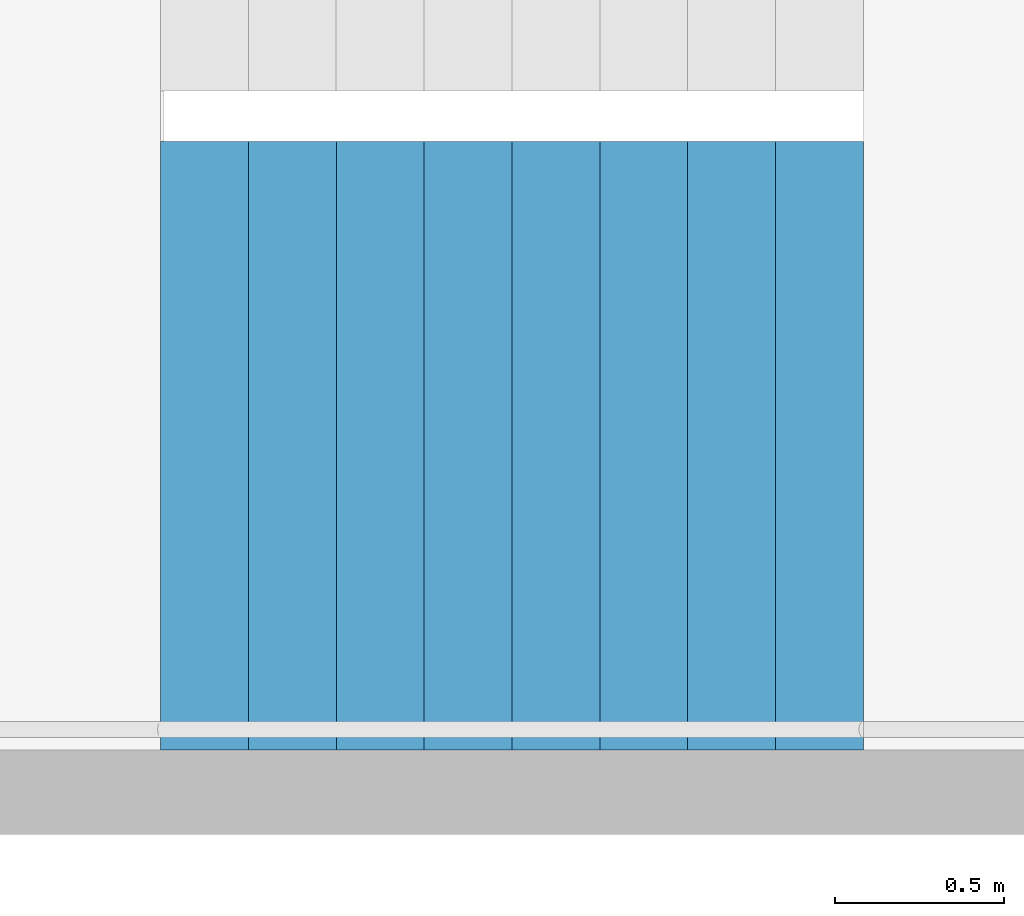
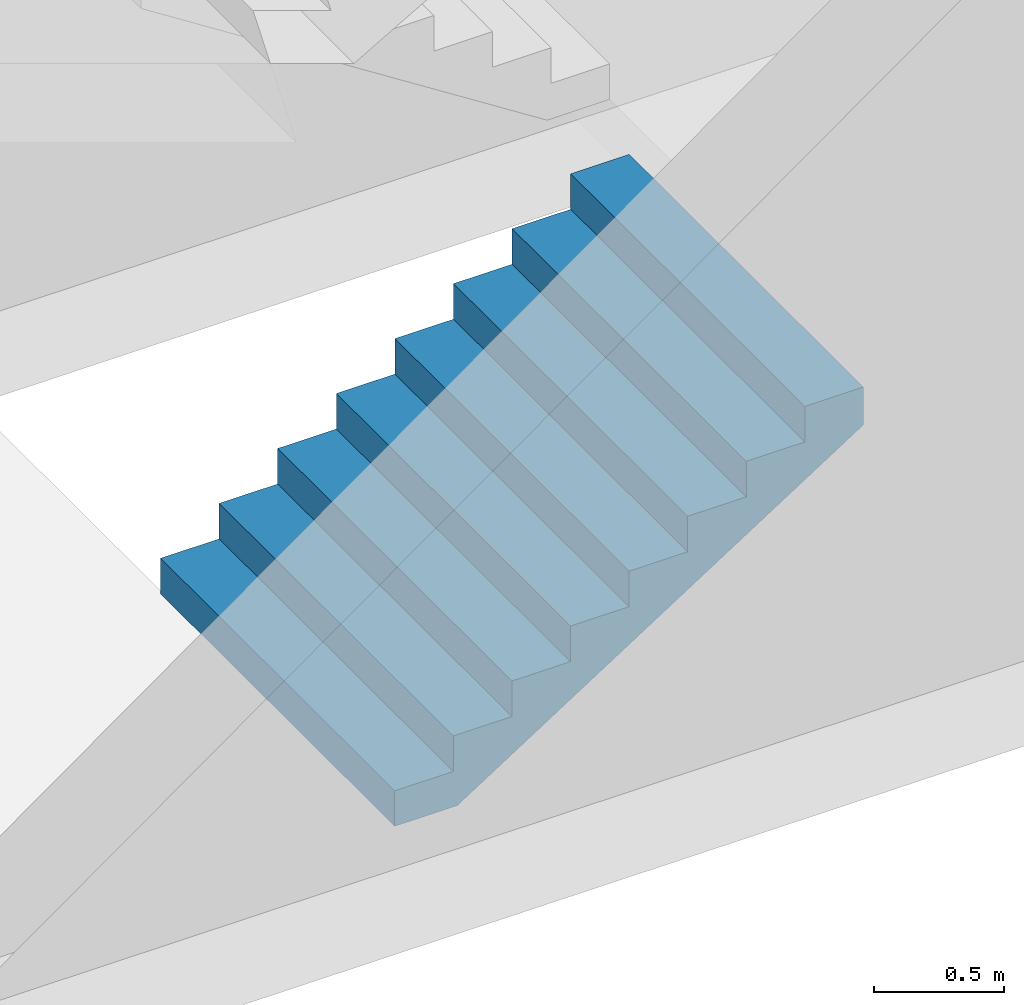
# One storey, part 54 of 100: 1 stair flight, 1 element without a shape of its own.
"""IFC4 building model written with IfcOpenShell, lengths in metres."""

from ifc_helpers import new_model, si_unit, direction, frame, origin, place, context, subcontext, project, spatial, triangles, material, type_object, element, aggregate, save


model = new_model("IFC4")

# Units and contexts
model_context = context("Model", 3, precision=1e-05, world=origin(), true_north=direction((0.0, 1.0)))
body_context = subcontext(model_context, "Body", "Model", "MODEL_VIEW")
ifc_project = project(units=[si_unit("LENGTHUNIT", "METRE"), si_unit("AREAUNIT", "SQUARE_METRE"), si_unit("VOLUMEUNIT", "CUBIC_METRE"), si_unit("PLANEANGLEUNIT", "RADIAN"), si_unit("MASSUNIT", "GRAM", prefix="KILO")], contexts=[model_context])

# Site, building, storey
site_placement = place(None, origin())
site = spatial("IfcSite", under=ifc_project, at=site_placement, CompositionType="ELEMENT")
building_placement = place(site_placement, origin())
building = spatial("IfcBuilding", under=site, at=building_placement, Name="Hakoniwa Tower and Hamabe Station Hall", CompositionType="ELEMENT")
storey_placement = place(building_placement, frame((0.0, 0.0, 9.0)))
storey = spatial("IfcBuildingStorey", under=building, at=storey_placement, Name="L02", CompositionType="ELEMENT", Elevation=9.0)

# Stair, stair flight
ifc_material_1 = material(Name="Concrete C40", Category="concrete")
stair_type = type_object("IfcStairType", Name="ESCAPE STAIR 1800", PredefinedType="HALF_TURN_STAIR", material=ifc_material_1)
stair_placement = place(storey_placement, origin())
stair = element("IfcStair", 1, at=stair_placement, inside=storey, type_object=stair_type, Name="Escape stair ST-1 L02", PredefinedType="HALF_TURN_STAIR")
ifc_material_2 = material(Name="Concrete C40", Category="concrete")
stair_flight_type = type_object("IfcStairFlightType", Name="STAIR FLIGHT 1800", PredefinedType="STRAIGHT", material=ifc_material_2)
stair_flight_placement = place(storey_placement, frame((-24.39990234375, 4.64990234375, 0.0), z_axis=(0.0, 0.0, 1.0), x_axis=(1.0, 0.0, 0.0)))
stair_flight = element("IfcStairFlight", 2, at=stair_flight_placement, type_object=stair_flight_type, Name="ST-1 flight 1", NumberOfRisers=9, NumberOfTreads=8, PredefinedType="STRAIGHT", RiserHeight=0.166666667, TreadLength=0.26, context=body_context, shape_type="Tessellation", body=[
    triangles([(0.0, 0.89990234375, 0.0), (0.260009765625, 0.89990234375, 0.0), (0.27783203125, 0.89990234375, 0.0), (0.52001953125, 0.89990234375, 0.1552734375), (0.780029296875, 0.89990234375, 0.322021484375), (1.0400390625, 0.89990234375, 0.488525390625), (1.300048828125, 0.89990234375, 0.6552734375), (1.56005859375, 0.89990234375, 0.822021484375), (1.820068359375, 0.89990234375, 0.988525390625), (2.080078125, 0.89990234375, 1.1552734375), (2.080078125, 0.89990234375, 1.333251953125), (1.820068359375, 0.89990234375, 1.333251953125), (1.820068359375, 0.89990234375, 1.166748046875), (1.56005859375, 0.89990234375, 1.166748046875), (1.56005859375, 0.89990234375, 1.0), (1.300048828125, 0.89990234375, 1.0), (1.300048828125, 0.89990234375, 0.833251953125), (1.0400390625, 0.89990234375, 0.833251953125), (1.0400390625, 0.89990234375, 0.666748046875), (0.780029296875, 0.89990234375, 0.666748046875), (0.780029296875, 0.89990234375, 0.5), (0.52001953125, 0.89990234375, 0.5), (0.52001953125, 0.89990234375, 0.333251953125), (0.27783203125, 0.89990234375, 0.333251953125), (0.260009765625, 0.89990234375, 0.333251953125), (0.260009765625, 0.89990234375, 0.166748046875), (0.0, 0.89990234375, 0.166748046875), (0.0, 0.06005859375, 0.0), (0.260009765625, 0.06005859375, 0.0), (0.27783203125, 0.06005859375, 0.0), (0.52001953125, 0.06005859375, 0.1552734375), (0.780029296875, 0.06005859375, 0.322021484375), (1.0400390625, 0.06005859375, 0.488525390625), (1.300048828125, 0.06005859375, 0.6552734375), (1.56005859375, 0.06005859375, 0.822021484375), (1.820068359375, 0.06005859375, 0.988525390625), (2.080078125, 0.06005859375, 1.1552734375), (2.080078125, 0.06005859375, 1.333251953125), (1.820068359375, 0.06005859375, 1.333251953125), (1.820068359375, 0.06005859375, 1.166748046875), (1.56005859375, 0.06005859375, 1.166748046875), (1.56005859375, 0.06005859375, 1.0), (1.300048828125, 0.06005859375, 1.0), (1.300048828125, 0.06005859375, 0.833251953125), (1.0400390625, 0.06005859375, 0.833251953125), (1.0400390625, 0.06005859375, 0.666748046875), (0.780029296875, 0.06005859375, 0.666748046875), (0.780029296875, 0.06005859375, 0.5), (0.52001953125, 0.06005859375, 0.5), (0.52001953125, 0.06005859375, 0.333251953125), (0.27783203125, 0.06005859375, 0.333251953125), (0.260009765625, 0.06005859375, 0.333251953125), (0.260009765625, 0.06005859375, 0.166748046875), (0.0, 0.06005859375, 0.166748046875), (0.0, 0.04296875, 0.0), (0.260009765625, 0.04296875, 0.0), (0.27783203125, 0.04296875, 0.0), (0.52001953125, 0.04296875, 0.1552734375), (0.780029296875, 0.04296875, 0.322021484375), (1.0400390625, 0.04296875, 0.488525390625), (1.300048828125, 0.04296875, 0.6552734375), (1.56005859375, 0.04296875, 0.822021484375), (1.820068359375, 0.04296875, 0.988525390625), (2.080078125, 0.04296875, 1.1552734375), (2.080078125, 0.04296875, 1.333251953125), (1.820068359375, 0.04296875, 1.333251953125), (1.820068359375, 0.04296875, 1.166748046875), (1.56005859375, 0.04296875, 1.166748046875), (1.56005859375, 0.04296875, 1.0), (1.300048828125, 0.04296875, 1.0), (1.300048828125, 0.04296875, 0.833251953125), (1.0400390625, 0.04296875, 0.833251953125), (1.0400390625, 0.04296875, 0.666748046875), (0.780029296875, 0.04296875, 0.666748046875), (0.780029296875, 0.04296875, 0.5), (0.52001953125, 0.04296875, 0.5), (0.52001953125, 0.04296875, 0.333251953125), (0.27783203125, 0.04296875, 0.333251953125), (0.260009765625, 0.04296875, 0.333251953125), (0.260009765625, 0.04296875, 0.166748046875), (0.0, 0.04296875, 0.166748046875), (0.0, 0.025634765625, 0.0), (0.260009765625, 0.025634765625, 0.0), (0.27783203125, 0.025634765625, 0.0), (0.52001953125, 0.025634765625, 0.1552734375), (0.780029296875, 0.025634765625, 0.322021484375), (1.0400390625, 0.025634765625, 0.488525390625), (1.300048828125, 0.025634765625, 0.6552734375), (1.56005859375, 0.025634765625, 0.822021484375), (1.820068359375, 0.025634765625, 0.988525390625), (2.080078125, 0.025634765625, 1.1552734375), (2.080078125, 0.025634765625, 1.333251953125), (1.820068359375, 0.025634765625, 1.333251953125), (1.820068359375, 0.025634765625, 1.166748046875), (1.56005859375, 0.025634765625, 1.166748046875), (1.56005859375, 0.025634765625, 1.0), (1.300048828125, 0.025634765625, 1.0), (1.300048828125, 0.025634765625, 0.833251953125), (1.0400390625, 0.025634765625, 0.833251953125), (1.0400390625, 0.025634765625, 0.666748046875), (0.780029296875, 0.025634765625, 0.666748046875), (0.780029296875, 0.025634765625, 0.5), (0.52001953125, 0.025634765625, 0.5), (0.52001953125, 0.025634765625, 0.333251953125), (0.27783203125, 0.025634765625, 0.333251953125), (0.260009765625, 0.025634765625, 0.333251953125), (0.260009765625, 0.025634765625, 0.166748046875), (0.0, 0.025634765625, 0.166748046875), (0.0, 0.008544921875, 0.0), (0.260009765625, 0.008544921875, 0.0), (0.27783203125, 0.008544921875, 0.0), (0.52001953125, 0.008544921875, 0.1552734375), (0.780029296875, 0.008544921875, 0.322021484375), (1.0400390625, 0.008544921875, 0.488525390625), (1.300048828125, 0.008544921875, 0.6552734375), (1.56005859375, 0.008544921875, 0.822021484375), (1.820068359375, 0.008544921875, 0.988525390625), (2.080078125, 0.008544921875, 1.1552734375), (2.080078125, 0.008544921875, 1.333251953125), (1.820068359375, 0.008544921875, 1.333251953125), (1.820068359375, 0.008544921875, 1.166748046875), (1.56005859375, 0.008544921875, 1.166748046875), (1.56005859375, 0.008544921875, 1.0), (1.300048828125, 0.008544921875, 1.0), (1.300048828125, 0.008544921875, 0.833251953125), (1.0400390625, 0.008544921875, 0.833251953125), (1.0400390625, 0.008544921875, 0.666748046875), (0.780029296875, 0.008544921875, 0.666748046875), (0.780029296875, 0.008544921875, 0.5), (0.52001953125, 0.008544921875, 0.5), (0.52001953125, 0.008544921875, 0.333251953125), (0.27783203125, 0.008544921875, 0.333251953125), (0.260009765625, 0.008544921875, 0.333251953125), (0.260009765625, 0.008544921875, 0.166748046875), (0.0, 0.008544921875, 0.166748046875), (0.0, -0.008544921875, 0.0), (0.260009765625, -0.008544921875, 0.0), (0.27783203125, -0.008544921875, 0.0), (0.52001953125, -0.008544921875, 0.1552734375), (0.780029296875, -0.008544921875, 0.322021484375), (1.0400390625, -0.008544921875, 0.488525390625), (1.300048828125, -0.008544921875, 0.6552734375), (1.56005859375, -0.008544921875, 0.822021484375), (1.820068359375, -0.008544921875, 0.988525390625), (2.080078125, -0.008544921875, 1.1552734375), (2.080078125, -0.008544921875, 1.333251953125), (1.820068359375, -0.008544921875, 1.333251953125), (1.820068359375, -0.008544921875, 1.166748046875), (1.56005859375, -0.008544921875, 1.166748046875), (1.56005859375, -0.008544921875, 1.0), (1.300048828125, -0.008544921875, 1.0), (1.300048828125, -0.008544921875, 0.833251953125), (1.0400390625, -0.008544921875, 0.833251953125), (1.0400390625, -0.008544921875, 0.666748046875), (0.780029296875, -0.008544921875, 0.666748046875), (0.780029296875, -0.008544921875, 0.5), (0.52001953125, -0.008544921875, 0.5), (0.52001953125, -0.008544921875, 0.333251953125), (0.27783203125, -0.008544921875, 0.333251953125), (0.260009765625, -0.008544921875, 0.333251953125), (0.260009765625, -0.008544921875, 0.166748046875), (0.0, -0.008544921875, 0.166748046875), (0.0, -0.025634765625, 0.0), (0.260009765625, -0.025634765625, 0.0), (0.27783203125, -0.025634765625, 0.0), (0.52001953125, -0.025634765625, 0.1552734375), (0.780029296875, -0.025634765625, 0.322021484375), (1.0400390625, -0.025634765625, 0.488525390625), (1.300048828125, -0.025634765625, 0.6552734375), (1.56005859375, -0.025634765625, 0.822021484375), (1.820068359375, -0.025634765625, 0.988525390625), (2.080078125, -0.025634765625, 1.1552734375), (2.080078125, -0.025634765625, 1.333251953125), (1.820068359375, -0.025634765625, 1.333251953125), (1.820068359375, -0.025634765625, 1.166748046875), (1.56005859375, -0.025634765625, 1.166748046875), (1.56005859375, -0.025634765625, 1.0), (1.300048828125, -0.025634765625, 1.0), (1.300048828125, -0.025634765625, 0.833251953125), (1.0400390625, -0.025634765625, 0.833251953125), (1.0400390625, -0.025634765625, 0.666748046875), (0.780029296875, -0.025634765625, 0.666748046875), (0.780029296875, -0.025634765625, 0.5), (0.52001953125, -0.025634765625, 0.5), (0.52001953125, -0.025634765625, 0.333251953125), (0.27783203125, -0.025634765625, 0.333251953125), (0.260009765625, -0.025634765625, 0.333251953125), (0.260009765625, -0.025634765625, 0.166748046875), (0.0, -0.025634765625, 0.166748046875), (0.0, -0.04296875, 0.0), (0.260009765625, -0.04296875, 0.0), (0.27783203125, -0.04296875, 0.0), (0.52001953125, -0.04296875, 0.1552734375), (0.780029296875, -0.04296875, 0.322021484375), (1.0400390625, -0.04296875, 0.488525390625), (1.300048828125, -0.04296875, 0.6552734375), (1.56005859375, -0.04296875, 0.822021484375), (1.820068359375, -0.04296875, 0.988525390625), (2.080078125, -0.04296875, 1.1552734375), (2.080078125, -0.04296875, 1.333251953125), (1.820068359375, -0.04296875, 1.333251953125), (1.820068359375, -0.04296875, 1.166748046875), (1.56005859375, -0.04296875, 1.166748046875), (1.56005859375, -0.04296875, 1.0), (1.300048828125, -0.04296875, 1.0), (1.300048828125, -0.04296875, 0.833251953125), (1.0400390625, -0.04296875, 0.833251953125), (1.0400390625, -0.04296875, 0.666748046875), (0.780029296875, -0.04296875, 0.666748046875), (0.780029296875, -0.04296875, 0.5), (0.52001953125, -0.04296875, 0.5), (0.52001953125, -0.04296875, 0.333251953125), (0.27783203125, -0.04296875, 0.333251953125), (0.260009765625, -0.04296875, 0.333251953125), (0.260009765625, -0.04296875, 0.166748046875), (0.0, -0.04296875, 0.166748046875), (0.0, -0.06005859375, 0.0), (0.260009765625, -0.06005859375, 0.0), (0.27783203125, -0.06005859375, 0.0), (0.52001953125, -0.06005859375, 0.1552734375), (0.780029296875, -0.06005859375, 0.322021484375), (1.0400390625, -0.06005859375, 0.488525390625), (1.300048828125, -0.06005859375, 0.6552734375), (1.56005859375, -0.06005859375, 0.822021484375), (1.820068359375, -0.06005859375, 0.988525390625), (2.080078125, -0.06005859375, 1.1552734375), (2.080078125, -0.06005859375, 1.333251953125), (1.820068359375, -0.06005859375, 1.333251953125), (1.820068359375, -0.06005859375, 1.166748046875), (1.56005859375, -0.06005859375, 1.166748046875), (1.56005859375, -0.06005859375, 1.0), (1.300048828125, -0.06005859375, 1.0), (1.300048828125, -0.06005859375, 0.833251953125), (1.0400390625, -0.06005859375, 0.833251953125), (1.0400390625, -0.06005859375, 0.666748046875), (0.780029296875, -0.06005859375, 0.666748046875), (0.780029296875, -0.06005859375, 0.5), (0.52001953125, -0.06005859375, 0.5), (0.52001953125, -0.06005859375, 0.333251953125), (0.27783203125, -0.06005859375, 0.333251953125), (0.260009765625, -0.06005859375, 0.333251953125), (0.260009765625, -0.06005859375, 0.166748046875), (0.0, -0.06005859375, 0.166748046875), (0.0, -0.89990234375, 0.0), (0.260009765625, -0.89990234375, 0.0), (0.27783203125, -0.89990234375, 0.0), (0.52001953125, -0.89990234375, 0.1552734375), (0.780029296875, -0.89990234375, 0.322021484375), (1.0400390625, -0.89990234375, 0.488525390625), (1.300048828125, -0.89990234375, 0.6552734375), (1.56005859375, -0.89990234375, 0.822021484375), (1.820068359375, -0.89990234375, 0.988525390625), (2.080078125, -0.89990234375, 1.1552734375), (2.080078125, -0.89990234375, 1.333251953125), (1.820068359375, -0.89990234375, 1.333251953125), (1.820068359375, -0.89990234375, 1.166748046875), (1.56005859375, -0.89990234375, 1.166748046875), (1.56005859375, -0.89990234375, 1.0), (1.300048828125, -0.89990234375, 1.0), (1.300048828125, -0.89990234375, 0.833251953125), (1.0400390625, -0.89990234375, 0.833251953125), (1.0400390625, -0.89990234375, 0.666748046875), (0.780029296875, -0.89990234375, 0.666748046875), (0.780029296875, -0.89990234375, 0.5), (0.52001953125, -0.89990234375, 0.5), (0.52001953125, -0.89990234375, 0.333251953125), (0.27783203125, -0.89990234375, 0.333251953125), (0.260009765625, -0.89990234375, 0.333251953125), (0.260009765625, -0.89990234375, 0.166748046875), (0.0, -0.89990234375, 0.166748046875)], [[2, 27, 26], [245, 269, 270], [2, 1, 27], [245, 270, 244], [3, 25, 24], [246, 267, 268], [3, 26, 25], [246, 268, 269], [3, 2, 26], [246, 269, 245], [4, 24, 23], [247, 266, 267], [4, 3, 24], [247, 267, 246], [5, 22, 21], [248, 264, 265], [5, 23, 22], [248, 265, 266], [5, 4, 23], [248, 266, 247], [6, 20, 19], [249, 262, 263], [6, 21, 20], [249, 263, 264], [6, 5, 21], [249, 264, 248], [7, 18, 17], [250, 260, 261], [7, 19, 18], [250, 261, 262], [7, 6, 19], [250, 262, 249], [8, 16, 15], [251, 258, 259], [8, 17, 16], [251, 259, 260], [8, 7, 17], [251, 260, 250], [9, 14, 13], [252, 256, 257], [9, 15, 14], [252, 257, 258], [9, 8, 15], [252, 258, 251], [10, 12, 11], [253, 254, 255], [10, 13, 12], [253, 255, 256], [10, 9, 13], [253, 256, 252], [1, 2, 29], [1, 29, 28], [28, 29, 56], [28, 56, 55], [55, 56, 83], [55, 83, 82], [82, 83, 110], [82, 110, 109], [109, 110, 137], [109, 137, 136], [136, 137, 164], [136, 164, 163], [163, 164, 191], [163, 191, 190], [190, 191, 218], [190, 218, 217], [217, 218, 245], [217, 245, 244], [2, 3, 30], [2, 30, 29], [29, 30, 57], [29, 57, 56], [56, 57, 84], [56, 84, 83], [83, 84, 111], [83, 111, 110], [110, 111, 138], [110, 138, 137], [137, 138, 165], [137, 165, 164], [164, 165, 192], [164, 192, 191], [191, 192, 219], [191, 219, 218], [218, 219, 246], [218, 246, 245], [3, 4, 31], [3, 31, 30], [30, 31, 58], [30, 58, 57], [57, 58, 85], [57, 85, 84], [84, 85, 112], [84, 112, 111], [111, 112, 139], [111, 139, 138], [138, 139, 166], [138, 166, 165], [165, 166, 193], [165, 193, 192], [192, 193, 220], [192, 220, 219], [219, 220, 247], [219, 247, 246], [4, 5, 32], [4, 32, 31], [31, 32, 59], [31, 59, 58], [58, 59, 86], [58, 86, 85], [85, 86, 113], [85, 113, 112], [112, 113, 140], [112, 140, 139], [139, 140, 167], [139, 167, 166], [166, 167, 194], [166, 194, 193], [193, 194, 221], [193, 221, 220], [220, 221, 248], [220, 248, 247], [5, 6, 33], [5, 33, 32], [32, 33, 60], [32, 60, 59], [59, 60, 87], [59, 87, 86], [86, 87, 114], [86, 114, 113], [113, 114, 141], [113, 141, 140], [140, 141, 168], [140, 168, 167], [167, 168, 195], [167, 195, 194], [194, 195, 222], [194, 222, 221], [221, 222, 249], [221, 249, 248], [6, 7, 34], [6, 34, 33], [33, 34, 61], [33, 61, 60], [60, 61, 88], [60, 88, 87], [87, 88, 115], [87, 115, 114], [114, 115, 142], [114, 142, 141], [141, 142, 169], [141, 169, 168], [168, 169, 196], [168, 196, 195], [195, 196, 223], [195, 223, 222], [222, 223, 250], [222, 250, 249], [7, 8, 35], [7, 35, 34], [34, 35, 62], [34, 62, 61], [61, 62, 89], [61, 89, 88], [88, 89, 116], [88, 116, 115], [115, 116, 143], [115, 143, 142], [142, 143, 170], [142, 170, 169], [169, 170, 197], [169, 197, 196], [196, 197, 224], [196, 224, 223], [223, 224, 251], [223, 251, 250], [8, 9, 36], [8, 36, 35], [35, 36, 63], [35, 63, 62], [62, 63, 90], [62, 90, 89], [89, 90, 117], [89, 117, 116], [116, 117, 144], [116, 144, 143], [143, 144, 171], [143, 171, 170], [170, 171, 198], [170, 198, 197], [197, 198, 225], [197, 225, 224], [224, 225, 252], [224, 252, 251], [9, 10, 37], [9, 37, 36], [36, 37, 64], [36, 64, 63], [63, 64, 91], [63, 91, 90], [90, 91, 118], [90, 118, 117], [117, 118, 145], [117, 145, 144], [144, 145, 172], [144, 172, 171], [171, 172, 199], [171, 199, 198], [198, 199, 226], [198, 226, 225], [225, 226, 253], [225, 253, 252], [10, 11, 38], [10, 38, 37], [37, 38, 65], [37, 65, 64], [64, 65, 92], [64, 92, 91], [91, 92, 119], [91, 119, 118], [118, 119, 146], [118, 146, 145], [145, 146, 173], [145, 173, 172], [172, 173, 200], [172, 200, 199], [199, 200, 227], [199, 227, 226], [226, 227, 254], [226, 254, 253], [11, 12, 39], [11, 39, 38], [38, 39, 66], [38, 66, 65], [65, 66, 93], [65, 93, 92], [92, 93, 120], [92, 120, 119], [119, 120, 147], [119, 147, 146], [146, 147, 174], [146, 174, 173], [173, 174, 201], [173, 201, 200], [200, 201, 228], [200, 228, 227], [227, 228, 255], [227, 255, 254], [12, 13, 40], [12, 40, 39], [39, 40, 67], [39, 67, 66], [66, 67, 94], [66, 94, 93], [93, 94, 121], [93, 121, 120], [120, 121, 148], [120, 148, 147], [147, 148, 175], [147, 175, 174], [174, 175, 202], [174, 202, 201], [201, 202, 229], [201, 229, 228], [228, 229, 256], [228, 256, 255], [13, 14, 41], [13, 41, 40], [40, 41, 68], [40, 68, 67], [67, 68, 95], [67, 95, 94], [94, 95, 122], [94, 122, 121], [121, 122, 149], [121, 149, 148], [148, 149, 176], [148, 176, 175], [175, 176, 203], [175, 203, 202], [202, 203, 230], [202, 230, 229], [229, 230, 257], [229, 257, 256], [14, 15, 42], [14, 42, 41], [41, 42, 69], [41, 69, 68], [68, 69, 96], [68, 96, 95], [95, 96, 123], [95, 123, 122], [122, 123, 150], [122, 150, 149], [149, 150, 177], [149, 177, 176], [176, 177, 204], [176, 204, 203], [203, 204, 231], [203, 231, 230], [230, 231, 258], [230, 258, 257], [15, 16, 43], [15, 43, 42], [42, 43, 70], [42, 70, 69], [69, 70, 97], [69, 97, 96], [96, 97, 124], [96, 124, 123], [123, 124, 151], [123, 151, 150], [150, 151, 178], [150, 178, 177], [177, 178, 205], [177, 205, 204], [204, 205, 232], [204, 232, 231], [231, 232, 259], [231, 259, 258], [16, 17, 44], [16, 44, 43], [43, 44, 71], [43, 71, 70], [70, 71, 98], [70, 98, 97], [97, 98, 125], [97, 125, 124], [124, 125, 152], [124, 152, 151], [151, 152, 179], [151, 179, 178], [178, 179, 206], [178, 206, 205], [205, 206, 233], [205, 233, 232], [232, 233, 260], [232, 260, 259], [17, 18, 45], [17, 45, 44], [44, 45, 72], [44, 72, 71], [71, 72, 99], [71, 99, 98], [98, 99, 126], [98, 126, 125], [125, 126, 153], [125, 153, 152], [152, 153, 180], [152, 180, 179], [179, 180, 207], [179, 207, 206], [206, 207, 234], [206, 234, 233], [233, 234, 261], [233, 261, 260], [18, 19, 46], [18, 46, 45], [45, 46, 73], [45, 73, 72], [72, 73, 100], [72, 100, 99], [99, 100, 127], [99, 127, 126], [126, 127, 154], [126, 154, 153], [153, 154, 181], [153, 181, 180], [180, 181, 208], [180, 208, 207], [207, 208, 235], [207, 235, 234], [234, 235, 262], [234, 262, 261], [19, 20, 47], [19, 47, 46], [46, 47, 74], [46, 74, 73], [73, 74, 101], [73, 101, 100], [100, 101, 128], [100, 128, 127], [127, 128, 155], [127, 155, 154], [154, 155, 182], [154, 182, 181], [181, 182, 209], [181, 209, 208], [208, 209, 236], [208, 236, 235], [235, 236, 263], [235, 263, 262], [20, 21, 48], [20, 48, 47], [47, 48, 75], [47, 75, 74], [74, 75, 102], [74, 102, 101], [101, 102, 129], [101, 129, 128], [128, 129, 156], [128, 156, 155], [155, 156, 183], [155, 183, 182], [182, 183, 210], [182, 210, 209], [209, 210, 237], [209, 237, 236], [236, 237, 264], [236, 264, 263], [21, 22, 49], [21, 49, 48], [48, 49, 76], [48, 76, 75], [75, 76, 103], [75, 103, 102], [102, 103, 130], [102, 130, 129], [129, 130, 157], [129, 157, 156], [156, 157, 184], [156, 184, 183], [183, 184, 211], [183, 211, 210], [210, 211, 238], [210, 238, 237], [237, 238, 265], [237, 265, 264], [22, 23, 50], [22, 50, 49], [49, 50, 77], [49, 77, 76], [76, 77, 104], [76, 104, 103], [103, 104, 131], [103, 131, 130], [130, 131, 158], [130, 158, 157], [157, 158, 185], [157, 185, 184], [184, 185, 212], [184, 212, 211], [211, 212, 239], [211, 239, 238], [238, 239, 266], [238, 266, 265], [23, 24, 51], [23, 51, 50], [50, 51, 78], [50, 78, 77], [77, 78, 105], [77, 105, 104], [104, 105, 132], [104, 132, 131], [131, 132, 159], [131, 159, 158], [158, 159, 186], [158, 186, 185], [185, 186, 213], [185, 213, 212], [212, 213, 240], [212, 240, 239], [239, 240, 267], [239, 267, 266], [24, 25, 52], [24, 52, 51], [51, 52, 79], [51, 79, 78], [78, 79, 106], [78, 106, 105], [105, 106, 133], [105, 133, 132], [132, 133, 160], [132, 160, 159], [159, 160, 187], [159, 187, 186], [186, 187, 214], [186, 214, 213], [213, 214, 241], [213, 241, 240], [240, 241, 268], [240, 268, 267], [25, 26, 53], [25, 53, 52], [52, 53, 80], [52, 80, 79], [79, 80, 107], [79, 107, 106], [106, 107, 134], [106, 134, 133], [133, 134, 161], [133, 161, 160], [160, 161, 188], [160, 188, 187], [187, 188, 215], [187, 215, 214], [214, 215, 242], [214, 242, 241], [241, 242, 269], [241, 269, 268], [26, 27, 54], [26, 54, 53], [53, 54, 81], [53, 81, 80], [80, 81, 108], [80, 108, 107], [107, 108, 135], [107, 135, 134], [134, 135, 162], [134, 162, 161], [161, 162, 189], [161, 189, 188], [188, 189, 216], [188, 216, 215], [215, 216, 243], [215, 243, 242], [242, 243, 270], [242, 270, 269], [27, 1, 28], [27, 28, 54], [54, 28, 55], [54, 55, 81], [81, 55, 82], [81, 82, 108], [108, 82, 109], [108, 109, 135], [135, 109, 136], [135, 136, 162], [162, 136, 163], [162, 163, 189], [189, 163, 190], [189, 190, 216], [216, 190, 217], [216, 217, 243], [243, 217, 244], [243, 244, 270]], closed=True),
])
aggregate(stair, [stair_flight])

save(model, "model.ifc")
